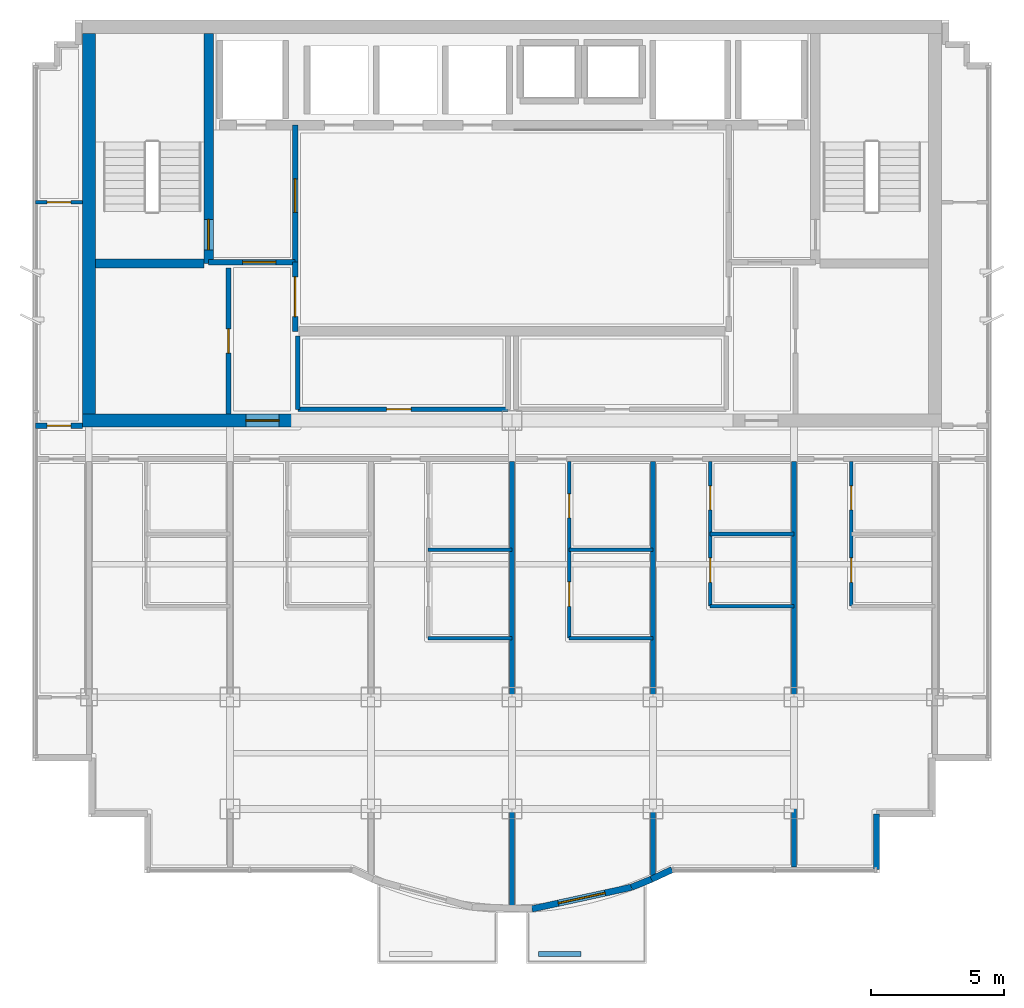
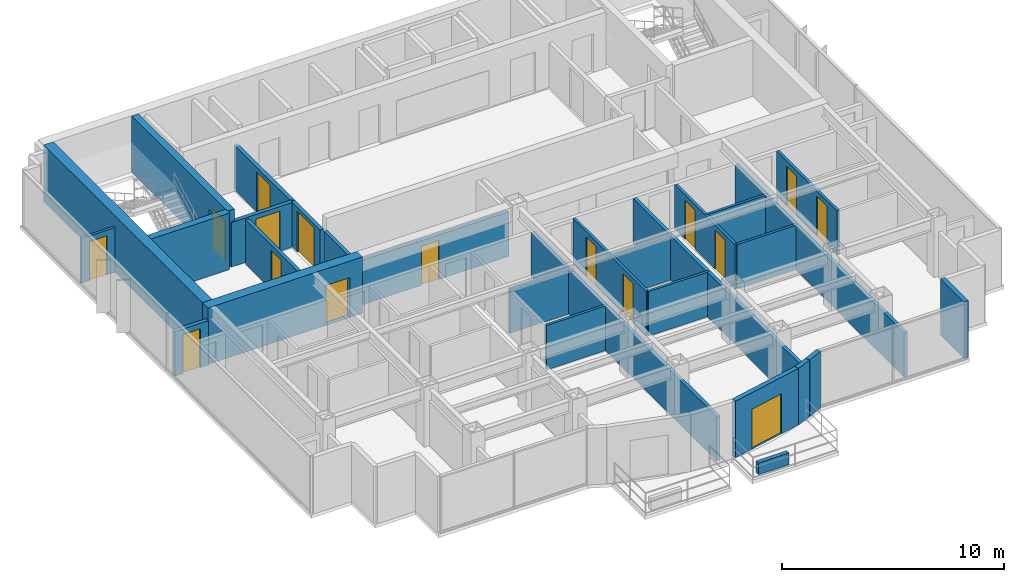
# One storey, part 6 of 10: 29 walls, 16 doors, 16 openings.
"""IFC4 building model written with IfcOpenShell, lengths in metres."""

import ifcopenshell
import ifcopenshell.guid

model = None  # the IFC model being written
_history = None  # IfcOwnerHistory: only IFC2X3 demands one
_inside = {}  # id of a spatial element -> (the spatial element, [elements in it])
_under = {}  # id of a project, library or spatial element -> (it, [spatial elements below it])
_declared = {}  # id of a project -> (the project, [libraries it declares])
_typed = {}  # id of a type object -> (the type object, [elements of that type])
_made_of = {}  # id of a material, layer set ... -> (it, [elements and type objects made of it])


def new_model(schema):
    """Start an empty IFC model of exactly this schema.

    Asked for "IFC4X3", IfcOpenShell would pick the latest addendum, in which some entities
    have other attributes; the version numbers below select the first issue.
    IFC2X3 requires an IfcOwnerHistory on every rooted entity: one is made here for all.
    """
    global model, _history
    if schema == "IFC4X3":
        model = ifcopenshell.file(schema_version=(4, 3, 0, 0))
    else:
        model = ifcopenshell.file(schema=schema)
    _inside.clear()
    _under.clear()
    _declared.clear()
    _typed.clear()
    _made_of.clear()
    _history = None
    if model.schema == "IFC2X3":
        org = make("IfcOrganization", Name="unknown")
        user = make(
            "IfcPersonAndOrganization",
            ThePerson=make("IfcPerson", FamilyName="unknown"),
            TheOrganization=org,
        )
        app = make(
            "IfcApplication",
            ApplicationDeveloper=org,
            Version="unknown",
            ApplicationFullName="unknown",
            ApplicationIdentifier="unknown",
        )
        _history = make(
            "IfcOwnerHistory",
            OwningUser=user,
            OwningApplication=app,
            ChangeAction="ADDED",
            CreationDate=0,
        )
    return model


def make(cls, **values):
    """One entity of the class cls with the attributes given. An attribute that is None is left unset."""
    return model.create_entity(
        cls, **{name: value for name, value in values.items() if value is not None}
    )


def rooted(cls, **values):
    """An entity with a GlobalId (a new one), such as an element, a storey or a relation."""
    return make(cls, GlobalId=ifcopenshell.guid.new(), OwnerHistory=_history, **values)


def si_unit(unit_type, name, prefix=None):
    """IfcSIUnit, for example si_unit("LENGTHUNIT", "METRE", prefix="MILLI")."""
    return make("IfcSIUnit", UnitType=unit_type, Prefix=prefix, Name=name)


def assignment(units):
    """IfcUnitAssignment: the units of a project."""
    return None if units is None else make("IfcUnitAssignment", Units=units)


def point(xyz):
    """IfcCartesianPoint."""
    return None if xyz is None else make("IfcCartesianPoint", Coordinates=xyz)


def direction(xyz):
    """IfcDirection."""
    return None if xyz is None else make("IfcDirection", DirectionRatios=xyz)


def frame(location, z_axis=None, x_axis=None):
    """IfcAxis2Placement3D, a coordinate frame: its origin and axes. An axis left out is left unset."""
    return make(
        "IfcAxis2Placement3D",
        Location=point(location),
        Axis=direction(z_axis),
        RefDirection=direction(x_axis),
    )


def frame_2d(location, x_axis=None):
    """IfcAxis2Placement2D, a coordinate frame in the plane: its origin and x axis."""
    return make(
        "IfcAxis2Placement2D", Location=point(location), RefDirection=direction(x_axis)
    )


def origin():
    """The frame at (0, 0, 0) with its axes left unset."""
    return frame((0.0, 0.0, 0.0))


def place(relative_to, where):
    """IfcLocalPlacement: puts the frame where relative to a parent placement (None: the world)."""
    return make(
        "IfcLocalPlacement", PlacementRelTo=relative_to, RelativePlacement=where
    )


def context(
    kind, dimensions, precision=None, world=None, true_north=None, identifier=None
):
    """IfcGeometricRepresentationContext, for example the 3D "Model" context."""
    return make(
        "IfcGeometricRepresentationContext",
        ContextIdentifier=identifier,
        ContextType=kind,
        CoordinateSpaceDimension=dimensions,
        Precision=precision,
        WorldCoordinateSystem=world,
        TrueNorth=true_north,
    )


def subcontext(parent, identifier, kind, view, scale=None):
    """IfcGeometricRepresentationSubContext, for example "Body" below "Model"."""
    return make(
        "IfcGeometricRepresentationSubContext",
        ContextIdentifier=identifier,
        ContextType=kind,
        ParentContext=parent,
        TargetScale=scale,
        TargetView=view,
    )


def project(units=None, contexts=None):
    """IfcProject with its units and contexts."""
    return rooted(
        "IfcProject",
        Name="project",
        RepresentationContexts=contexts,
        UnitsInContext=assignment(units),
    )


def spatial(cls, under=None, at=None, **own):
    """A site, building, storey or space (cls), placed at a placement, below another one or the project."""
    s = rooted(cls, ObjectPlacement=at, **own)
    if under is not None:
        _under.setdefault(under.id(), (under, []))[1].append(s)
    return s


def profile(cls, at=None, kind="AREA", **sizes):
    """A parametric profile (cls). Its sizes go by their IFC names, for example OverallWidth=200.0."""
    return make(cls, ProfileType=kind, Position=at, **sizes)


def rectangle(**sizes):
    """IfcRectangleProfileDef."""
    return profile("IfcRectangleProfileDef", **sizes)


def extrude(swept, where, along, depth):
    """IfcExtrudedAreaSolid: the profile swept, set in the frame where, extruded along a direction by depth."""
    return make(
        "IfcExtrudedAreaSolid",
        SweptArea=swept,
        Position=where,
        ExtrudedDirection=direction(along),
        Depth=depth,
    )


def shape(context_of_items, identifier, shape_type, items):
    """IfcShapeRepresentation: the items that make up one representation, for example the "Body"."""
    return make(
        "IfcShapeRepresentation",
        ContextOfItems=context_of_items,
        RepresentationIdentifier=identifier,
        RepresentationType=shape_type,
        Items=items,
    )


def material(Name=None, Category=None):
    """IfcMaterial."""
    return make("IfcMaterial", Name=Name, Category=Category)


def layer(
    of_material, thickness, ventilated=None, Name=None, Category=None, Priority=None
):
    """IfcMaterialLayer: one layer of a wall or slab, of a material (None: an air gap)."""
    return make(
        "IfcMaterialLayer",
        Material=of_material,
        LayerThickness=thickness,
        IsVentilated=ventilated,
        Name=Name,
        Category=Category,
        Priority=Priority,
    )


def layer_set(layers, Name=None):
    """IfcMaterialLayerSet."""
    return make("IfcMaterialLayerSet", MaterialLayers=layers, LayerSetName=Name)


def made_of(thing, what):
    """Note that an element or type object is made of a material, layer set ...; save() writes the relation."""
    if what is not None:
        _made_of.setdefault(what.id(), (what, []))[1].append(thing)
    return thing


def type_object(cls, material=None, **own):
    """A type object (cls), such as IfcWallType, which elements share."""
    return made_of(rooted(cls, **own), material)


def element(
    cls,
    number,
    at=None,
    inside=None,
    cuts=None,
    type_object=None,
    material=None,
    context=None,
    identifier="Body",
    shape_type=None,
    held_by="IfcProductDefinitionShape",
    body=None,
    shapes=None,
    **own,
):
    """One element of the class cls, such as IfcWall. Its Tag is "e" and its number.

    at: its placement. inside: the storey or other place that contains it. cuts: it is an
    opening in that element (IfcRelVoidsElement). A single representation is given by context,
    identifier, shape_type and body (its items); several are given by shapes. held_by: the class
    of the entity that holds the representations. save() writes the other relations.
    """
    e = rooted(cls, Tag="e%d" % number, ObjectPlacement=at, **own)
    if body is not None:
        shapes = [shape(context, identifier, shape_type, body)]
    if shapes is not None:
        e.Representation = make(held_by, Representations=shapes)
    if inside is not None:
        _inside.setdefault(inside.id(), (inside, []))[1].append(e)
    if cuts is not None:
        rooted(
            "IfcRelVoidsElement", RelatingBuildingElement=cuts, RelatedOpeningElement=e
        )
    if type_object is not None:
        _typed.setdefault(type_object.id(), (type_object, []))[1].append(e)
    return made_of(e, material)


def fill(opening, filler):
    """IfcRelFillsElement: the door or window that sits in an opening."""
    return rooted(
        "IfcRelFillsElement",
        RelatingOpeningElement=opening,
        RelatedBuildingElement=filler,
    )


def aggregate(whole, parts):
    """IfcRelAggregates: a whole, such as a stair, and the parts it consists of."""
    return rooted("IfcRelAggregates", RelatingObject=whole, RelatedObjects=parts)


def save(model, path):
    """Write the relations noted so far, then the file.

    IfcRelAggregates (storeys below a building ...), IfcRelContainedInSpatialStructure (elements
    in a storey), IfcRelDefinesByType, IfcRelAssociatesMaterial and IfcRelDeclares: one each for
    every whole, place, type object, material and project.
    """
    for whole, parts in _under.values():
        aggregate(whole, parts)
    for where, things in _inside.values():
        rooted(
            "IfcRelContainedInSpatialStructure",
            RelatedElements=things,
            RelatingStructure=where,
        )
    for kind, things in _typed.values():
        rooted("IfcRelDefinesByType", RelatedObjects=things, RelatingType=kind)
    for what, things in _made_of.values():
        rooted("IfcRelAssociatesMaterial", RelatedObjects=things, RelatingMaterial=what)
    for by, libraries in _declared.values():
        rooted("IfcRelDeclares", RelatingContext=by, RelatedDefinitions=libraries)
    model.write(path)


model = new_model("IFC4")

# Units and contexts
model_context = context("Model", 3, precision=1e-05, world=origin(), true_north=direction((0.0, 1.0)))
body_context = subcontext(model_context, "Body", "Model", "MODEL_VIEW")
ifc_project = project(units=[si_unit("LENGTHUNIT", "METRE"), si_unit("AREAUNIT", "SQUARE_METRE"), si_unit("VOLUMEUNIT", "CUBIC_METRE"), si_unit("PLANEANGLEUNIT", "RADIAN"), si_unit("MASSUNIT", "GRAM", prefix="KILO")], contexts=[model_context])

# Site, building, storey
site_placement = place(None, origin())
site = spatial("IfcSite", under=ifc_project, at=site_placement, CompositionType="ELEMENT")
building_placement = place(site_placement, origin())
building = spatial("IfcBuilding", under=site, at=building_placement, Name="Qianlan Lanfeng Residences", CompositionType="ELEMENT")
storey_placement = place(building_placement, frame((0.0, 0.0, 236.300048828125)))
storey = spatial("IfcBuildingStorey", under=building, at=storey_placement, Name="L65", CompositionType="ELEMENT", Elevation=236.300048828125)

# Wall, opening, door
ifc_material_1 = material(Name="Concrete C49", Category="concrete")
ifc_layer_1 = layer(ifc_material_1, 0.35009765625)
ifc_layer_set_1 = layer_set([ifc_layer_1], Name="Concrete C49")
wall_type_1 = type_object("IfcWallType", Name="CW-RC-350", PredefinedType="SHEAR", material=ifc_layer_set_1)
wall_1_placement = place(storey_placement, frame((15.10009765625, 31.10009765625, 0.0), z_axis=(0.0, 0.0, 1.0), x_axis=(0.0, 1.0, 0.0)))
wall_1 = element("IfcWall", 1, at=wall_1_placement, inside=storey, type_object=wall_type_1, Name="L65 Core Shear Wall ST1E", PredefinedType="SHEAR", context=body_context, shape_type="SweptSolid", body=[
    extrude(rectangle(XDim=8.64990234375, YDim=0.35009765625, at=frame_2d((4.324951171875, 0.0))), origin(), (0.0, 0.0, 1.0), 3.10986328125),
])
opening_1_placement = place(wall_1_placement, frame((0.510009765625, 0.0, 0.0)))
opening_1 = element("IfcOpeningElement", 2, at=opening_1_placement, cuts=wall_1, Name="Opening L65-D07", PredefinedType="OPENING", context=body_context, shape_type="SweptSolid", body=[
    extrude(rectangle(XDim=1.14990234375, YDim=2.199951171875, at=frame_2d((0.574951171875, 1.10009765625))), frame((0.0, 0.18505859375, 0.0), z_axis=(0.0, -1.0, 0.0), x_axis=(1.0, 0.0, 0.0)), (0.0, 0.0, 1.0), 0.3701171875),
])
ifc_material_2 = material(Name="Painted Galvanised Steel Fire Door", Category="steel")
door_type_1 = type_object("IfcDoorType", Name="DT-ST1", OperationType="NOTDEFINED", PredefinedType="DOOR", material=ifc_material_2)
door_1_placement = place(opening_1_placement, frame((1.14990234375, 0.0, 0.0), z_axis=(0.0, 0.0, 1.0), x_axis=(-1.0, 0.0, 0.0)))
door_1 = element("IfcDoor", 3, at=door_1_placement, inside=storey, type_object=door_type_1, Name="L65 Exit Stair ST-1 Door L65-D07 (DT-ST1)", OperationType="SINGLE_SWING_RIGHT", OverallHeight=2.199951171875, OverallWidth=1.14990234375, PredefinedType="DOOR", context=body_context, shape_type="SweptSolid", body=[
    extrude(rectangle(XDim=1.14990234375, YDim=2.199951171875, at=frame_2d((0.574951171875, 1.10009765625))), frame((0.0, 0.02490234375, 0.0), z_axis=(0.0, -1.0, 0.0), x_axis=(1.0, 0.0, 0.0)), (0.0, 0.0, 1.0), 0.050048828125),
])
fill(opening_1, door_1)

# Walls
wall_2_placement = place(storey_placement, frame((10.85009765625, 31.10009765625, 0.0), z_axis=(0.0, 0.0, 1.0), x_axis=(1.0, 0.0, 0.0)))
element("IfcWall", 4, at=wall_2_placement, inside=storey, type_object=wall_type_1, Name="L65 Core Shear Wall ST1S", PredefinedType="SHEAR", context=body_context, shape_type="SweptSolid", body=[
    extrude(rectangle(XDim=4.074951171875, YDim=0.35009765625, at=frame_2d((2.03759765625, 0.0))), origin(), (0.0, 0.0, 1.0), 3.10986328125),
])
ifc_material_3 = material(Name="Concrete C70", Category="concrete")
ifc_layer_2 = layer(ifc_material_3, 0.5)
ifc_layer_set_2 = layer_set([ifc_layer_2], Name="Concrete C70")
wall_type_2 = type_object("IfcWallType", Name="CW-RC-500", PredefinedType="SHEAR", material=ifc_layer_set_2)
wall_3_placement = place(storey_placement, frame((10.60009765625, 25.449951171875, 0.0), z_axis=(0.0, 0.0, 1.0), x_axis=(0.0, 1.0, 0.0)))
element("IfcWall", 5, at=wall_3_placement, inside=storey, type_object=wall_type_2, Name="L65 Core Shear Wall W", PredefinedType="SHEAR", context=body_context, shape_type="SweptSolid", body=[
    extrude(rectangle(XDim=14.300048828125, YDim=0.5, at=frame_2d((7.14990234375, 0.0))), origin(), (0.0, 0.0, 1.0), 3.10986328125),
])

# Wall, opening, door
wall_4_placement = place(storey_placement, frame((10.35009765625, 25.199951171875, 0.0), z_axis=(0.0, 0.0, 1.0), x_axis=(1.0, 0.0, 0.0)))
wall_4 = element("IfcWall", 6, at=wall_4_placement, inside=storey, type_object=wall_type_2, Name="L65 Core Shear Wall SW", PredefinedType="SHEAR", context=body_context, shape_type="SweptSolid", body=[
    extrude(rectangle(XDim=8.0498046875, YDim=0.5, at=frame_2d((4.02490234375, 0.0))), origin(), (0.0, 0.0, 1.0), 3.10986328125),
])
opening_2_placement = place(wall_4_placement, frame((6.14990234375, 0.0, 0.0)))
opening_2 = element("IfcOpeningElement", 7, at=opening_2_placement, cuts=wall_4, Name="Opening L65-D01", PredefinedType="OPENING", context=body_context, shape_type="SweptSolid", body=[
    extrude(rectangle(XDim=1.25, YDim=2.199951171875, at=frame_2d((0.625, 1.10009765625))), frame((0.0, 0.260009765625, 0.0), z_axis=(0.0, -1.0, 0.0), x_axis=(1.0, 0.0, 0.0)), (0.0, 0.0, 1.0), 0.52001953125),
])
door_type_2 = type_object("IfcDoorType", Name="DT-FFL", OperationType="NOTDEFINED", PredefinedType="DOOR", material=ifc_material_2)
door_2_placement = place(opening_2_placement, origin())
door_2 = element("IfcDoor", 8, at=door_2_placement, inside=storey, type_object=door_type_2, Name="L65 West Core Lobby Smoke Door L65-D01 (DT-FFL)", OperationType="SINGLE_SWING_RIGHT", OverallHeight=2.199951171875, OverallWidth=1.25, PredefinedType="DOOR", context=body_context, shape_type="SweptSolid", body=[
    extrude(rectangle(XDim=1.25, YDim=2.199951171875, at=frame_2d((0.625, 1.10009765625))), frame((0.0, 0.02490234375, 0.0), z_axis=(0.0, -1.0, 0.0), x_axis=(1.0, 0.0, 0.0)), (0.0, 0.0, 1.0), 0.050048828125),
])
fill(opening_2, door_2)

ifc_material_4 = material(Name="Concrete C42", Category="concrete")
ifc_layer_3 = layer(ifc_material_4, 0.239990234375)
ifc_layer_set_3 = layer_set([ifc_layer_3], Name="Concrete C42")
wall_type_3 = type_object("IfcWallType", Name="EW-240", PredefinedType="SOLIDWALL", material=ifc_layer_set_3)
wall_5_placement = place(storey_placement, frame((27.248046875, 6.843017578125, 0.0), z_axis=(0.0, 0.0, 1.0), x_axis=(0.977126252677, 0.212660025225, 0.0)))
wall_5 = element("IfcWall", 9, at=wall_5_placement, inside=storey, type_object=wall_type_3, Name="L65 Terrace/Balcony Access Exterior Wall 8", PredefinedType="SOLIDWALL", context=body_context, shape_type="SweptSolid", body=[
    extrude(rectangle(XDim=3.82763671875, YDim=0.239990234375, at=frame_2d((1.913818359375, 0.0))), origin(), (0.0, 0.0, 1.0), 3.10986328125),
])
opening_3_placement = place(wall_5_placement, frame((1.013916015625, 0.0, 0.0)))
opening_3 = element("IfcOpeningElement", 10, at=opening_3_placement, cuts=wall_5, Name="Opening L65-D-SB-E", PredefinedType="OPENING", context=body_context, shape_type="SweptSolid", body=[
    extrude(rectangle(XDim=1.800048828125, YDim=2.199951171875, at=frame_2d((0.89990234375, 1.10009765625))), frame((0.0, 0.1298828125, 0.0), z_axis=(0.0, -1.0, 0.0), x_axis=(1.0, 0.0, 0.0)), (0.0, 0.0, 1.0), 0.260009765625),
])
ifc_material_5 = material(Name="Anodised Bronze Aluminium Framed Glass", Category="aluminium")
door_type_3 = type_object("IfcDoorType", Name="DT-BAL1", OperationType="NOTDEFINED", PredefinedType="DOOR", material=ifc_material_5)
door_3_placement = place(opening_3_placement, frame((1.800048828125, 0.0, 0.0), z_axis=(0.0, 0.0, 1.0), x_axis=(-1.0, 0.0, 0.0)))
door_3 = element("IfcDoor", 11, at=door_3_placement, inside=storey, type_object=door_type_3, Name="L65 Exterior Access Door SB-E", OperationType="DOUBLE_DOOR_SLIDING", OverallHeight=2.199951171875, OverallWidth=1.800048828125, PredefinedType="DOOR", context=body_context, shape_type="SweptSolid", body=[
    extrude(rectangle(XDim=1.800048828125, YDim=2.199951171875, at=frame_2d((0.89990234375, 1.10009765625))), frame((0.0, 0.02490234375, 0.0), z_axis=(0.0, -1.0, 0.0), x_axis=(1.0, 0.0, 0.0)), (0.0, 0.0, 1.0), 0.050048828125),
])
fill(opening_3, door_3)

# Walls
wall_6_placement = place(storey_placement, frame((30.988037109375, 7.656982421875, 0.0), z_axis=(0.0, 0.0, 1.0), x_axis=(0.927870589467, 0.372902358805, 0.0)))
element("IfcWall", 12, at=wall_6_placement, inside=storey, type_object=wall_type_3, Name="L65 Exterior Facade Spandrel Wall 9", PredefinedType="SOLIDWALL", context=body_context, shape_type="SweptSolid", body=[
    extrude(rectangle(XDim=0.80712890625, YDim=0.239990234375, at=frame_2d((0.403564453125, 0.0))), origin(), (0.0, 0.0, 1.0), 3.10986328125),
])
wall_7_placement = place(storey_placement, frame((31.737060546875, 7.9580078125, 0.0), z_axis=(0.0, 0.0, 1.0), x_axis=(0.906190424584, 0.422869855147, 0.0)))
element("IfcWall", 13, at=wall_7_placement, inside=storey, type_object=wall_type_3, Name="L65 Exterior Facade Spandrel Wall 10", PredefinedType="SOLIDWALL", context=body_context, shape_type="SweptSolid", body=[
    extrude(rectangle(XDim=0.856201171875, YDim=0.239990234375, at=frame_2d((0.42822265625, 0.0))), origin(), (0.0, 0.0, 1.0), 3.10986328125),
])
wall_8_placement = place(storey_placement, frame((40.199951171875, 8.320068359375, 0.0), z_axis=(0.0, 0.0, 1.0), x_axis=(0.0, 1.0, 0.0)))
element("IfcWall", 14, at=wall_8_placement, inside=storey, type_object=wall_type_3, Name="L65 Exterior Facade Spandrel Wall 11", PredefinedType="SOLIDWALL", context=body_context, shape_type="SweptSolid", body=[
    extrude(rectangle(XDim=2.099853515625, YDim=0.239990234375, at=frame_2d((1.0498046875, 0.0))), origin(), (0.0, 0.0, 1.0), 3.10986328125),
])
ifc_layer_4 = layer(ifc_material_4, 0.199951171875)
ifc_layer_set_4 = layer_set([ifc_layer_4], Name="Concrete C42")
wall_type_4 = type_object("IfcWallType", Name="PL-TREE-200", PredefinedType="PARAPET", material=ifc_layer_set_4)
wall_9_placement = place(storey_placement, frame((27.5, 5.14990234375, 0.0), z_axis=(0.0, 0.0, 1.0), x_axis=(1.0, 0.0, 0.0)))
element("IfcWall", 15, at=wall_9_placement, inside=storey, type_object=wall_type_4, Name="L65 Balcony Tree Planter Curb SB-E", PredefinedType="PARAPET", context=body_context, shape_type="SweptSolid", body=[
    extrude(rectangle(XDim=1.60009765625, YDim=0.199951171875, at=frame_2d((0.800048828125, 0.0))), origin(), (0.0, 0.0, 1.0), 0.64990234375),
])
ifc_material_6 = material(Name="Moisture-Resistant Gypsum Partition 135 mm")
ifc_layer_5 = layer(ifc_material_6, 0.135009765625)
ifc_layer_set_5 = layer_set([ifc_layer_5], Name="Moisture-Resistant Gypsum Partition 135 mm")
wall_type_5 = type_object("IfcWallType", Name="PW-135", PredefinedType="PARTITIONING", material=ifc_layer_set_5)
for number, where, z_axis, x_axis, name in (
    (16, (23.35009765625, 17.02001953125, 0.0), (0.0, 0.0, 1.0), (1.0, 0.0, 0.0), "L65 U03 Kitchen South Wall"),
    (17, (23.35009765625, 20.3349609375, 0.0), (0.0, 0.0, 1.0), (1.0, 0.0, 0.0), "L65 U03 Bathroom South Wall"),
):
    element("IfcWall", number, at=place(storey_placement, frame(where, z_axis=z_axis, x_axis=x_axis)), inside=storey, type_object=wall_type_5, Name=name, PredefinedType="PARTITIONING", context=body_context, shape_type="SweptSolid", body=[
        extrude(rectangle(XDim=3.14990234375, YDim=0.135009765625, at=frame_2d((1.574951171875, 0.0))), origin(), (0.0, 0.0, 1.0), 2.449951171875),
    ])

# Wall, openings, doors
wall_10_placement = place(storey_placement, frame((28.64990234375, 17.02001953125, 0.0), z_axis=(0.0, 0.0, 1.0), x_axis=(0.0, 1.0, 0.0)))
wall_10 = element("IfcWall", 18, at=wall_10_placement, inside=storey, type_object=wall_type_5, Name="L65 U04 Wet Stack Spine", PredefinedType="PARTITIONING", context=body_context, shape_type="SweptSolid", body=[
    extrude(rectangle(XDim=6.6298828125, YDim=0.135009765625, at=frame_2d((3.31494140625, 0.0))), origin(), (0.0, 0.0, 1.0), 2.449951171875),
])
opening_4_placement = place(wall_10_placement, frame((1.197998046875, 0.0, 0.0)))
opening_4 = element("IfcOpeningElement", 19, at=opening_4_placement, cuts=wall_10, Name="Opening L65-D25", PredefinedType="OPENING", context=body_context, shape_type="SweptSolid", body=[
    extrude(rectangle(XDim=0.919921875, YDim=2.14990234375, at=frame_2d((0.4599609375, 1.074951171875))), frame((0.0, 0.07763671875, 0.0), z_axis=(0.0, -1.0, 0.0), x_axis=(1.0, 0.0, 0.0)), (0.0, 0.0, 1.0), 0.155029296875),
])
opening_5_placement = place(wall_10_placement, frame((4.52197265625, 0.0, 0.0)))
opening_5 = element("IfcOpeningElement", 20, at=opening_5_placement, cuts=wall_10, Name="Opening L65-D26", PredefinedType="OPENING", context=body_context, shape_type="SweptSolid", body=[
    extrude(rectangle(XDim=0.89990234375, YDim=2.14990234375, at=frame_2d((0.449951171875, 1.074951171875))), frame((0.0, 0.07763671875, 0.0), z_axis=(0.0, -1.0, 0.0), x_axis=(1.0, 0.0, 0.0)), (0.0, 0.0, 1.0), 0.155029296875),
])
ifc_material_7 = material(Name="Glazed Timber Kitchen/Study Door", Category="wood")
door_type_4 = type_object("IfcDoorType", Name="DT-INT", OperationType="NOTDEFINED", PredefinedType="DOOR", material=ifc_material_7)
door_4_placement = place(opening_4_placement, origin())
door_4 = element("IfcDoor", 21, at=door_4_placement, inside=storey, type_object=door_type_4, Name="L65 U04 Kitchen Door L65-D25 (DT-INT)", OperationType="SINGLE_SWING_RIGHT", OverallHeight=2.14990234375, OverallWidth=0.919921875, PredefinedType="DOOR", context=body_context, shape_type="SweptSolid", body=[
    extrude(rectangle(XDim=0.919921875, YDim=2.14990234375, at=frame_2d((0.4599609375, 1.074951171875))), frame((0.0, 0.02490234375, 0.0), z_axis=(0.0, -1.0, 0.0), x_axis=(1.0, 0.0, 0.0)), (0.0, 0.0, 1.0), 0.050048828125),
])
fill(opening_4, door_4)
ifc_material_8 = material(Name="Moisture-Resistant Timber Leaf", Category="wood")
door_type_5 = type_object("IfcDoorType", Name="DT-WC", OperationType="NOTDEFINED", PredefinedType="DOOR", material=ifc_material_8)
door_5_placement = place(opening_5_placement, origin())
door_5 = element("IfcDoor", 22, at=door_5_placement, inside=storey, type_object=door_type_5, Name="L65 U04 Bathroom Door L65-D26 (DT-WC)", OperationType="SINGLE_SWING_LEFT", OverallHeight=2.14990234375, OverallWidth=0.89990234375, PredefinedType="DOOR", context=body_context, shape_type="SweptSolid", body=[
    extrude(rectangle(XDim=0.89990234375, YDim=2.14990234375, at=frame_2d((0.449951171875, 1.074951171875))), frame((0.0, 0.02490234375, 0.0), z_axis=(0.0, -1.0, 0.0), x_axis=(1.0, 0.0, 0.0)), (0.0, 0.0, 1.0), 0.050048828125),
])
fill(opening_5, door_5)

# Walls
for number, where, z_axis, x_axis, name in (
    (23, (28.64990234375, 17.02001953125, 0.0), (0.0, 0.0, 1.0), (1.0, 0.0, 0.0), "L65 U04 Kitchen South Wall"),
    (24, (28.64990234375, 20.3349609375, 0.0), (0.0, 0.0, 1.0), (1.0, 0.0, 0.0), "L65 U04 Bathroom South Wall"),
):
    element("IfcWall", number, at=place(storey_placement, frame(where, z_axis=z_axis, x_axis=x_axis)), inside=storey, type_object=wall_type_5, Name=name, PredefinedType="PARTITIONING", context=body_context, shape_type="SweptSolid", body=[
        extrude(rectangle(XDim=3.150146484375, YDim=0.135009765625, at=frame_2d((1.5751953125, 0.0))), origin(), (0.0, 0.0, 1.0), 2.449951171875),
    ])

# Wall, openings, doors
wall_11_placement = place(storey_placement, frame((33.949951171875, 18.219970703125, 0.0), z_axis=(0.0, 0.0, 1.0), x_axis=(0.0, 1.0, 0.0)))
wall_11 = element("IfcWall", 25, at=wall_11_placement, inside=storey, type_object=wall_type_5, Name="L65 U05 Wet Stack Spine", PredefinedType="PARTITIONING", context=body_context, shape_type="SweptSolid", body=[
    extrude(rectangle(XDim=5.429931640625, YDim=0.135009765625, at=frame_2d((2.71484375, 0.0))), origin(), (0.0, 0.0, 1.0), 2.449951171875),
])
opening_6_placement = place(wall_11_placement, frame((0.89794921875, 0.0, 0.0)))
opening_6 = element("IfcOpeningElement", 26, at=opening_6_placement, cuts=wall_11, Name="Opening L65-D28", PredefinedType="OPENING", context=body_context, shape_type="SweptSolid", body=[
    extrude(rectangle(XDim=0.919921875, YDim=2.14990234375, at=frame_2d((0.4599609375, 1.074951171875))), frame((0.0, 0.07763671875, 0.0), z_axis=(0.0, -1.0, 0.0), x_axis=(1.0, 0.0, 0.0)), (0.0, 0.0, 1.0), 0.155029296875),
])
opening_7_placement = place(wall_11_placement, frame((3.6220703125, 0.0, 0.0)))
opening_7 = element("IfcOpeningElement", 27, at=opening_7_placement, cuts=wall_11, Name="Opening L65-D29", PredefinedType="OPENING", context=body_context, shape_type="SweptSolid", body=[
    extrude(rectangle(XDim=0.89990234375, YDim=2.14990234375, at=frame_2d((0.449951171875, 1.074951171875))), frame((0.0, 0.07763671875, 0.0), z_axis=(0.0, -1.0, 0.0), x_axis=(1.0, 0.0, 0.0)), (0.0, 0.0, 1.0), 0.155029296875),
])
door_6_placement = place(opening_6_placement, origin())
door_6 = element("IfcDoor", 28, at=door_6_placement, inside=storey, type_object=door_type_4, Name="L65 U05 Kitchen Door L65-D28 (DT-INT)", OperationType="SINGLE_SWING_LEFT", OverallHeight=2.14990234375, OverallWidth=0.919921875, PredefinedType="DOOR", context=body_context, shape_type="SweptSolid", body=[
    extrude(rectangle(XDim=0.919921875, YDim=2.14990234375, at=frame_2d((0.4599609375, 1.074951171875))), frame((0.0, 0.02490234375, 0.0), z_axis=(0.0, -1.0, 0.0), x_axis=(1.0, 0.0, 0.0)), (0.0, 0.0, 1.0), 0.050048828125),
])
fill(opening_6, door_6)
door_7_placement = place(opening_7_placement, origin())
door_7 = element("IfcDoor", 29, at=door_7_placement, inside=storey, type_object=door_type_5, Name="L65 U05 Bathroom Door L65-D29 (DT-WC)", OperationType="SINGLE_SWING_RIGHT", OverallHeight=2.14990234375, OverallWidth=0.89990234375, PredefinedType="DOOR", context=body_context, shape_type="SweptSolid", body=[
    extrude(rectangle(XDim=0.89990234375, YDim=2.14990234375, at=frame_2d((0.449951171875, 1.074951171875))), frame((0.0, 0.02490234375, 0.0), z_axis=(0.0, -1.0, 0.0), x_axis=(1.0, 0.0, 0.0)), (0.0, 0.0, 1.0), 0.050048828125),
])
fill(opening_7, door_7)

# Walls
for number, where, z_axis, x_axis, name in (
    (30, (33.949951171875, 18.219970703125, 0.0), (0.0, 0.0, 1.0), (1.0, 0.0, 0.0), "L65 U05 Kitchen South Wall"),
    (31, (33.949951171875, 20.93505859375, 0.0), (0.0, 0.0, 1.0), (1.0, 0.0, 0.0), "L65 U05 Bathroom South Wall"),
):
    element("IfcWall", number, at=place(storey_placement, frame(where, z_axis=z_axis, x_axis=x_axis)), inside=storey, type_object=wall_type_5, Name=name, PredefinedType="PARTITIONING", context=body_context, shape_type="SweptSolid", body=[
        extrude(rectangle(XDim=3.150146484375, YDim=0.135009765625, at=frame_2d((1.5751953125, 0.0))), origin(), (0.0, 0.0, 1.0), 2.449951171875),
    ])

# Wall, openings, doors
wall_12_placement = place(storey_placement, frame((39.25, 18.219970703125, 0.0), z_axis=(0.0, 0.0, 1.0), x_axis=(0.0, 1.0, 0.0)))
wall_12 = element("IfcWall", 32, at=wall_12_placement, inside=storey, type_object=wall_type_5, Name="L65 U06 Wet Stack Spine", PredefinedType="PARTITIONING", context=body_context, shape_type="SweptSolid", body=[
    extrude(rectangle(XDim=5.429931640625, YDim=0.135009765625, at=frame_2d((2.71484375, 0.0))), origin(), (0.0, 0.0, 1.0), 2.449951171875),
])
opening_8_placement = place(wall_12_placement, frame((0.89794921875, 0.0, 0.0)))
opening_8 = element("IfcOpeningElement", 33, at=opening_8_placement, cuts=wall_12, Name="Opening L65-D31", PredefinedType="OPENING", context=body_context, shape_type="SweptSolid", body=[
    extrude(rectangle(XDim=0.919921875, YDim=2.14990234375, at=frame_2d((0.4599609375, 1.074951171875))), frame((0.0, 0.07763671875, 0.0), z_axis=(0.0, -1.0, 0.0), x_axis=(1.0, 0.0, 0.0)), (0.0, 0.0, 1.0), 0.155029296875),
])
opening_9_placement = place(wall_12_placement, frame((3.6220703125, 0.0, 0.0)))
opening_9 = element("IfcOpeningElement", 34, at=opening_9_placement, cuts=wall_12, Name="Opening L65-D32", PredefinedType="OPENING", context=body_context, shape_type="SweptSolid", body=[
    extrude(rectangle(XDim=0.89990234375, YDim=2.14990234375, at=frame_2d((0.449951171875, 1.074951171875))), frame((0.0, 0.07763671875, 0.0), z_axis=(0.0, -1.0, 0.0), x_axis=(1.0, 0.0, 0.0)), (0.0, 0.0, 1.0), 0.155029296875),
])
door_8_placement = place(opening_8_placement, origin())
door_8 = element("IfcDoor", 35, at=door_8_placement, inside=storey, type_object=door_type_4, Name="L65 U06 Kitchen Door L65-D31 (DT-INT)", OperationType="SINGLE_SWING_RIGHT", OverallHeight=2.14990234375, OverallWidth=0.919921875, PredefinedType="DOOR", context=body_context, shape_type="SweptSolid", body=[
    extrude(rectangle(XDim=0.919921875, YDim=2.14990234375, at=frame_2d((0.4599609375, 1.074951171875))), frame((0.0, 0.02490234375, 0.0), z_axis=(0.0, -1.0, 0.0), x_axis=(1.0, 0.0, 0.0)), (0.0, 0.0, 1.0), 0.050048828125),
])
fill(opening_8, door_8)
door_9_placement = place(opening_9_placement, origin())
door_9 = element("IfcDoor", 36, at=door_9_placement, inside=storey, type_object=door_type_5, Name="L65 U06 Bathroom Door L65-D32 (DT-WC)", OperationType="SINGLE_SWING_LEFT", OverallHeight=2.14990234375, OverallWidth=0.89990234375, PredefinedType="DOOR", context=body_context, shape_type="SweptSolid", body=[
    extrude(rectangle(XDim=0.89990234375, YDim=2.14990234375, at=frame_2d((0.449951171875, 1.074951171875))), frame((0.0, 0.02490234375, 0.0), z_axis=(0.0, -1.0, 0.0), x_axis=(1.0, 0.0, 0.0)), (0.0, 0.0, 1.0), 0.050048828125),
])
fill(opening_9, door_9)

# Wall, opening, door
wall_13_placement = place(storey_placement, frame((8.60009765625, 33.39990234375, 0.0), z_axis=(0.0, 0.0, 1.0), x_axis=(1.0, 0.0, 0.0)))
wall_13 = element("IfcWall", 37, at=wall_13_placement, inside=storey, type_object=wall_type_5, Name="L65 WW North Wing Wall", PredefinedType="PARTITIONING", context=body_context, shape_type="SweptSolid", body=[
    extrude(rectangle(XDim=1.75, YDim=0.135009765625, at=frame_2d((0.875, 0.0))), origin(), (0.0, 0.0, 1.0), 2.449951171875),
])
opening_10_placement = place(wall_13_placement, frame((0.425048828125, 0.0, 0.0)))
opening_10 = element("IfcOpeningElement", 38, at=opening_10_placement, cuts=wall_13, Name="Opening L65-D37", PredefinedType="OPENING", context=body_context, shape_type="SweptSolid", body=[
    extrude(rectangle(XDim=0.89990234375, YDim=2.14990234375, at=frame_2d((0.449951171875, 1.074951171875))), frame((0.0, 0.07763671875, 0.0), z_axis=(0.0, -1.0, 0.0), x_axis=(1.0, 0.0, 0.0)), (0.0, 0.0, 1.0), 0.155029296875),
])
door_10_placement = place(opening_10_placement, origin())
door_10 = element("IfcDoor", 39, at=door_10_placement, inside=storey, type_object=door_type_5, Name="L65 WW Inner Salon Door L65-D37 (DT-WC)", OperationType="SINGLE_SWING_LEFT", OverallHeight=2.14990234375, OverallWidth=0.89990234375, PredefinedType="DOOR", context=body_context, shape_type="SweptSolid", body=[
    extrude(rectangle(XDim=0.89990234375, YDim=2.14990234375, at=frame_2d((0.449951171875, 1.074951171875))), frame((0.0, 0.02490234375, 0.0), z_axis=(0.0, -1.0, 0.0), x_axis=(1.0, 0.0, 0.0)), (0.0, 0.0, 1.0), 0.050048828125),
])
fill(opening_10, door_10)

ifc_material_9 = material(Name="Double-Layer Acoustic Gypsum Stud Wall 180 mm")
ifc_layer_6 = layer(ifc_material_9, 0.179931640625)
ifc_layer_set_6 = layer_set([ifc_layer_6], Name="Double-Layer Acoustic Gypsum Stud Wall 180 mm")
wall_type_6 = type_object("IfcWallType", Name="PW-180", PredefinedType="PARTITIONING", material=ifc_layer_set_6)
wall_14_placement = place(storey_placement, frame((15.85009765625, 25.449951171875, 0.0), z_axis=(0.0, 0.0, 1.0), x_axis=(0.0, 1.0, 0.0)))
wall_14 = element("IfcWall", 40, at=wall_14_placement, inside=storey, type_object=wall_type_6, Name="L65 Core West Service Room Wall", PredefinedType="PARTITIONING", context=body_context, shape_type="SweptSolid", body=[
    extrude(rectangle(XDim=5.47509765625, YDim=0.179931640625, at=frame_2d((2.737548828125, 0.0))), origin(), (0.0, 0.0, 1.0), 2.449951171875),
])
opening_11_placement = place(wall_14_placement, frame((2.277099609375, 0.0, 0.0)))
opening_11 = element("IfcOpeningElement", 41, at=opening_11_placement, cuts=wall_14, Name="Opening L65-D09", PredefinedType="OPENING", context=body_context, shape_type="SweptSolid", body=[
    extrude(rectangle(XDim=0.919921875, YDim=2.14990234375, at=frame_2d((0.4599609375, 1.074951171875))), frame((0.0, 0.10009765625, 0.0), z_axis=(0.0, -1.0, 0.0), x_axis=(1.0, 0.0, 0.0)), (0.0, 0.0, 1.0), 0.199951171875),
])
door_11_placement = place(opening_11_placement, origin())
door_11 = element("IfcDoor", 42, at=door_11_placement, inside=storey, type_object=door_type_4, Name="L65 Core Storage Door L65-D09 (DT-INT)", OperationType="SINGLE_SWING_RIGHT", OverallHeight=2.14990234375, OverallWidth=0.919921875, PredefinedType="DOOR", context=body_context, shape_type="SweptSolid", body=[
    extrude(rectangle(XDim=0.919921875, YDim=2.14990234375, at=frame_2d((0.4599609375, 1.074951171875))), frame((0.0, 0.02490234375, 0.0), z_axis=(0.0, -1.0, 0.0), x_axis=(1.0, 0.0, 0.0)), (0.0, 0.0, 1.0), 0.050048828125),
])
fill(opening_11, door_11)

# Wall
wall_15_placement = place(storey_placement, frame((18.449951171875, 25.6201171875, 0.0), z_axis=(0.0, 0.0, 1.0), x_axis=(0.0, 1.0, 0.0)))
element("IfcWall", 43, at=wall_15_placement, inside=storey, type_object=wall_type_6, Name="L65 Reclaimed Low-Bank Room West Wall", PredefinedType="PARTITIONING", context=body_context, shape_type="SweptSolid", body=[
    extrude(rectangle(XDim=2.7548828125, YDim=0.179931640625, at=frame_2d((1.37744140625, 0.0))), origin(), (0.0, 0.0, 1.0), 2.449951171875),
])

# Wall, opening, door
wall_16_placement = place(storey_placement, frame((18.449951171875, 25.6201171875, 0.0), z_axis=(0.0, 0.0, 1.0), x_axis=(1.0, 0.0, 0.0)))
wall_16 = element("IfcWall", 44, at=wall_16_placement, inside=storey, type_object=wall_type_6, Name="L65 Reclaimed Low-Bank Room South Wall", PredefinedType="PARTITIONING", context=body_context, shape_type="SweptSolid", body=[
    extrude(rectangle(XDim=7.900146484375, YDim=0.179931640625, at=frame_2d((3.9501953125, 0.0))), origin(), (0.0, 0.0, 1.0), 2.449951171875),
])
opening_12_placement = place(wall_16_placement, frame((3.340087890625, 0.0, 0.0)))
opening_12 = element("IfcOpeningElement", 45, at=opening_12_placement, cuts=wall_16, Name="Opening L65-D13", PredefinedType="OPENING", context=body_context, shape_type="SweptSolid", body=[
    extrude(rectangle(XDim=0.919921875, YDim=2.14990234375, at=frame_2d((0.4599609375, 1.074951171875))), frame((0.0, 0.10009765625, 0.0), z_axis=(0.0, -1.0, 0.0), x_axis=(1.0, 0.0, 0.0)), (0.0, 0.0, 1.0), 0.199951171875),
])
door_12_placement = place(opening_12_placement, origin())
door_12 = element("IfcDoor", 46, at=door_12_placement, inside=storey, type_object=door_type_4, Name="L65 Reclaimed Core Salon Door L65-D13 (DT-INT)", OperationType="SINGLE_SWING_RIGHT", OverallHeight=2.14990234375, OverallWidth=0.919921875, PredefinedType="DOOR", context=body_context, shape_type="SweptSolid", body=[
    extrude(rectangle(XDim=0.919921875, YDim=2.14990234375, at=frame_2d((0.4599609375, 1.074951171875))), frame((0.0, 0.02490234375, 0.0), z_axis=(0.0, -1.0, 0.0), x_axis=(1.0, 0.0, 0.0)), (0.0, 0.0, 1.0), 0.050048828125),
])
fill(opening_12, door_12)

# Walls
wall_17_placement = place(storey_placement, frame((26.5, 6.919921875, 0.0), z_axis=(0.0, 0.0, 1.0), x_axis=(0.0, 1.0, 0.0)))
element("IfcWall", 47, at=wall_17_placement, inside=storey, type_object=wall_type_6, Name="L65 Inter-Tenancy Party Wall 4", PredefinedType="PARTITIONING", context=body_context, shape_type="SweptSolid", body=[
    extrude(rectangle(XDim=16.72998046875, YDim=0.179931640625, at=frame_2d((8.364990234375, 0.0))), origin(), (0.0, 0.0, 1.0), 2.449951171875),
])
wall_18_placement = place(storey_placement, frame((31.800048828125, 8.097900390625, 0.0), z_axis=(0.0, 0.0, 1.0), x_axis=(0.0, 1.0, 0.0)))
element("IfcWall", 48, at=wall_18_placement, inside=storey, type_object=wall_type_6, Name="L65 Inter-Tenancy Party Wall 5", PredefinedType="PARTITIONING", context=body_context, shape_type="SweptSolid", body=[
    extrude(rectangle(XDim=15.552001953125, YDim=0.179931640625, at=frame_2d((7.77587890625, 0.0))), origin(), (0.0, 0.0, 1.0), 2.449951171875),
])
wall_19_placement = place(storey_placement, frame((37.10009765625, 8.419921875, 0.0), z_axis=(0.0, 0.0, 1.0), x_axis=(0.0, 1.0, 0.0)))
element("IfcWall", 49, at=wall_19_placement, inside=storey, type_object=wall_type_6, Name="L65 Inter-Tenancy Party Wall 6", PredefinedType="PARTITIONING", context=body_context, shape_type="SweptSolid", body=[
    extrude(rectangle(XDim=15.22998046875, YDim=0.179931640625, at=frame_2d((7.614990234375, 0.0))), origin(), (0.0, 0.0, 1.0), 2.449951171875),
])

# Wall, opening, door
ifc_material_10 = material(Name="Autoclaved Aerated Concrete Blockwork 200 mm", Category="masonry")
ifc_layer_7 = layer(ifc_material_10, 0.199951171875)
ifc_layer_set_7 = layer_set([ifc_layer_7], Name="Autoclaved Aerated Concrete Blockwork 200 mm")
wall_type_7 = type_object("IfcWallType", Name="PW-200", PredefinedType="PARTITIONING", material=ifc_layer_set_7)
wall_20_placement = place(storey_placement, frame((15.10009765625, 31.14990234375, 0.0), z_axis=(0.0, 0.0, 1.0), x_axis=(1.0, 0.0, 0.0)))
wall_20 = element("IfcWall", 50, at=wall_20_placement, inside=storey, type_object=wall_type_7, Name="L65 Firefighting Lobby 1 South Wall", PredefinedType="PARTITIONING", context=body_context, shape_type="SweptSolid", body=[
    extrude(rectangle(XDim=3.25, YDim=0.199951171875, at=frame_2d((1.625, 0.0))), origin(), (0.0, 0.0, 1.0), 2.449951171875),
])
opening_13_placement = place(wall_20_placement, frame((1.27490234375, 0.0, 0.0)))
opening_13 = element("IfcOpeningElement", 51, at=opening_13_placement, cuts=wall_20, Name="Opening L65-D03", PredefinedType="OPENING", context=body_context, shape_type="SweptSolid", body=[
    extrude(rectangle(XDim=1.25, YDim=2.199951171875, at=frame_2d((0.625, 1.10009765625))), frame((0.0, 0.10986328125, 0.0), z_axis=(0.0, -1.0, 0.0), x_axis=(1.0, 0.0, 0.0)), (0.0, 0.0, 1.0), 0.219970703125),
])
door_13_placement = place(opening_13_placement, origin())
door_13 = element("IfcDoor", 52, at=door_13_placement, inside=storey, type_object=door_type_2, Name="L65 Firefighting Lobby 1 Entry Door L65-D03 (DT-FFL)", OperationType="SINGLE_SWING_LEFT", OverallHeight=2.199951171875, OverallWidth=1.25, PredefinedType="DOOR", context=body_context, shape_type="SweptSolid", body=[
    extrude(rectangle(XDim=1.25, YDim=2.199951171875, at=frame_2d((0.625, 1.10009765625))), frame((0.0, 0.02490234375, 0.0), z_axis=(0.0, -1.0, 0.0), x_axis=(1.0, 0.0, 0.0)), (0.0, 0.0, 1.0), 0.050048828125),
])
fill(opening_13, door_13)

wall_21_placement = place(storey_placement, frame((18.35009765625, 31.14990234375, 0.0), z_axis=(0.0, 0.0, 1.0), x_axis=(0.0, 1.0, 0.0)))
wall_21 = element("IfcWall", 53, at=wall_21_placement, inside=storey, type_object=wall_type_7, Name="L65 Firefighting Lobby 1 East Wall", PredefinedType="PARTITIONING", context=body_context, shape_type="SweptSolid", body=[
    extrude(rectangle(XDim=5.150146484375, YDim=0.199951171875, at=frame_2d((2.5751953125, 0.0))), origin(), (0.0, 0.0, 1.0), 2.449951171875),
])
opening_14_placement = place(wall_21_placement, frame((1.875, 0.0, 0.0)))
opening_14 = element("IfcOpeningElement", 54, at=opening_14_placement, cuts=wall_21, Name="Opening L65-D04", PredefinedType="OPENING", context=body_context, shape_type="SweptSolid", body=[
    extrude(rectangle(XDim=1.25, YDim=2.199951171875, at=frame_2d((0.625, 1.10009765625))), frame((0.0, 0.10986328125, 0.0), z_axis=(0.0, -1.0, 0.0), x_axis=(1.0, 0.0, 0.0)), (0.0, 0.0, 1.0), 0.219970703125),
])
door_14_placement = place(opening_14_placement, origin())
door_14 = element("IfcDoor", 55, at=door_14_placement, inside=storey, type_object=door_type_2, Name="L65 Firefighting Lobby 1 Lift Lobby Door L65-D04 (DT-FFL)", OperationType="SINGLE_SWING_LEFT", OverallHeight=2.199951171875, OverallWidth=1.25, PredefinedType="DOOR", context=body_context, shape_type="SweptSolid", body=[
    extrude(rectangle(XDim=1.25, YDim=2.199951171875, at=frame_2d((0.625, 1.10009765625))), frame((0.0, 0.02490234375, 0.0), z_axis=(0.0, -1.0, 0.0), x_axis=(1.0, 0.0, 0.0)), (0.0, 0.0, 1.0), 0.050048828125),
])
fill(opening_14, door_14)

wall_22_placement = place(storey_placement, frame((18.35009765625, 28.550048828125, 0.0), z_axis=(0.0, 0.0, 1.0), x_axis=(0.0, 1.0, 0.0)))
wall_22 = element("IfcWall", 56, at=wall_22_placement, inside=storey, type_object=wall_type_7, Name="L65 Lift Lobby West Connector Wall", PredefinedType="PARTITIONING", context=body_context, shape_type="SweptSolid", body=[
    extrude(rectangle(XDim=2.599853515625, YDim=0.199951171875, at=frame_2d((1.2998046875, 0.0))), origin(), (0.0, 0.0, 1.0), 2.449951171875),
])
opening_15_placement = place(wall_22_placement, frame((0.550048828125, 0.0, 0.0)))
opening_15 = element("IfcOpeningElement", 57, at=opening_15_placement, cuts=wall_22, Name="Opening L65-D11", PredefinedType="OPENING", context=body_context, shape_type="SweptSolid", body=[
    extrude(rectangle(XDim=1.5, YDim=2.25, at=frame_2d((0.75, 1.125))), frame((0.0, 0.10986328125, 0.0), z_axis=(0.0, -1.0, 0.0), x_axis=(1.0, 0.0, 0.0)), (0.0, 0.0, 1.0), 0.219970703125),
])
ifc_material_11 = material(Name="Timber Veneer Acoustic Fire Door", Category="wood")
door_type_6 = type_object("IfcDoorType", Name="DT-COR1", OperationType="NOTDEFINED", PredefinedType="DOOR", material=ifc_material_11)
door_15_placement = place(opening_15_placement, origin())
door_15 = element("IfcDoor", 58, at=door_15_placement, inside=storey, type_object=door_type_6, Name="L65 Lift Lobby West Portal Door L65-D11 (DT-COR1)", OperationType="DOUBLE_DOOR_SINGLE_SWING", OverallHeight=2.25, OverallWidth=1.5, PredefinedType="DOOR", context=body_context, shape_type="SweptSolid", body=[
    extrude(rectangle(XDim=1.5, YDim=2.25, at=frame_2d((0.75, 1.125))), frame((0.0, 0.02490234375, 0.0), z_axis=(0.0, -1.0, 0.0), x_axis=(1.0, 0.0, 0.0)), (0.0, 0.0, 1.0), 0.050048828125),
])
fill(opening_15, door_15)

wall_23_placement = place(storey_placement, frame((8.60009765625, 25.0, 0.0), z_axis=(0.0, 0.0, 1.0), x_axis=(1.0, 0.0, 0.0)))
wall_23 = element("IfcWall", 59, at=wall_23_placement, inside=storey, type_object=wall_type_7, Name="L65 Corridor NW Wall", PredefinedType="PARTITIONING", context=body_context, shape_type="SweptSolid", body=[
    extrude(rectangle(XDim=1.75, YDim=0.199951171875, at=frame_2d((0.875, 0.0))), origin(), (0.0, 0.0, 1.0), 2.449951171875),
])
opening_16_placement = place(wall_23_placement, frame((0.425048828125, 0.0, 0.0)))
opening_16 = element("IfcOpeningElement", 60, at=opening_16_placement, cuts=wall_23, Name="Opening L65-D38", PredefinedType="OPENING", context=body_context, shape_type="SweptSolid", body=[
    extrude(rectangle(XDim=0.89990234375, YDim=2.14990234375, at=frame_2d((0.449951171875, 1.074951171875))), frame((0.0, 0.10986328125, 0.0), z_axis=(0.0, -1.0, 0.0), x_axis=(1.0, 0.0, 0.0)), (0.0, 0.0, 1.0), 0.219970703125),
])
door_16_placement = place(opening_16_placement, origin())
door_16 = element("IfcDoor", 61, at=door_16_placement, inside=storey, type_object=door_type_5, Name="L65 WW Amenity Salon Door L65-D38 (DT-WC)", OperationType="SINGLE_SWING_LEFT", OverallHeight=2.14990234375, OverallWidth=0.89990234375, PredefinedType="DOOR", context=body_context, shape_type="SweptSolid", body=[
    extrude(rectangle(XDim=0.89990234375, YDim=2.14990234375, at=frame_2d((0.449951171875, 1.074951171875))), frame((0.0, 0.02490234375, 0.0), z_axis=(0.0, -1.0, 0.0), x_axis=(1.0, 0.0, 0.0)), (0.0, 0.0, 1.0), 0.050048828125),
])
fill(opening_16, door_16)

save(model, "model.ifc")
